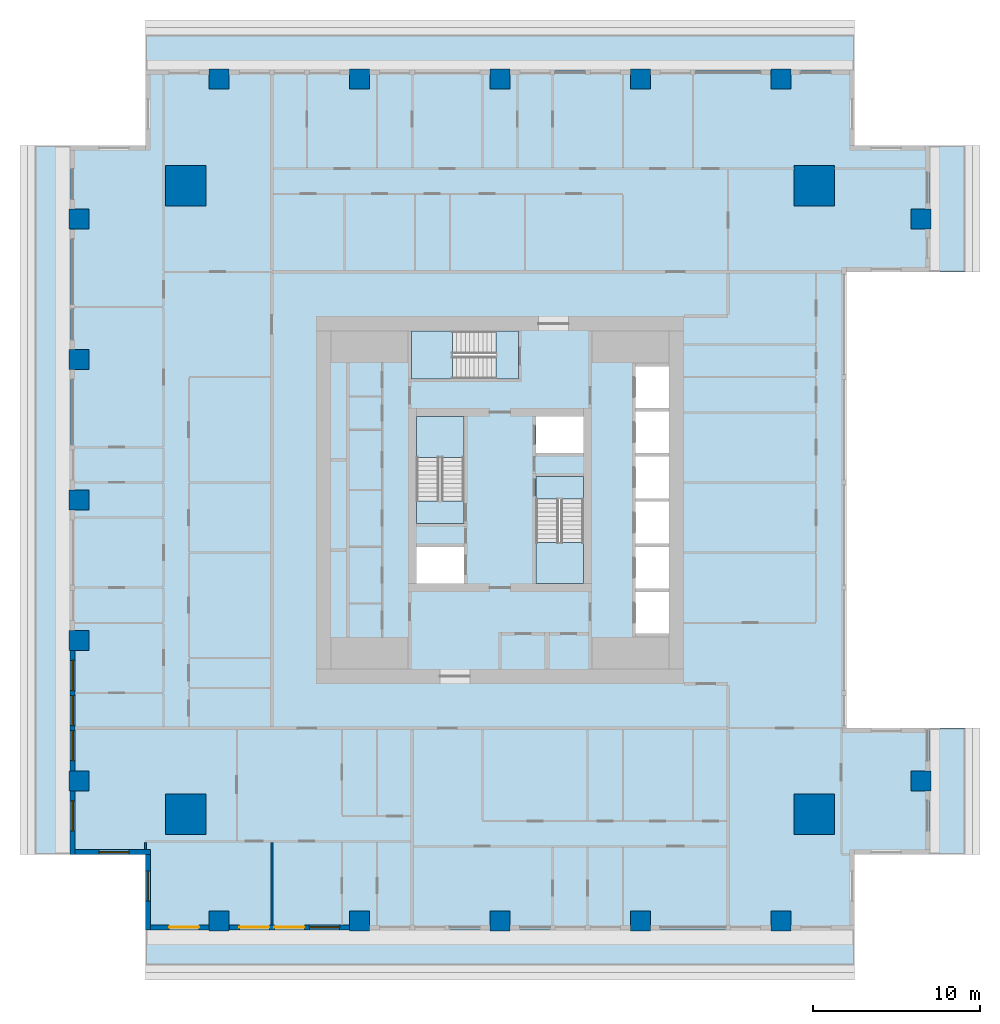
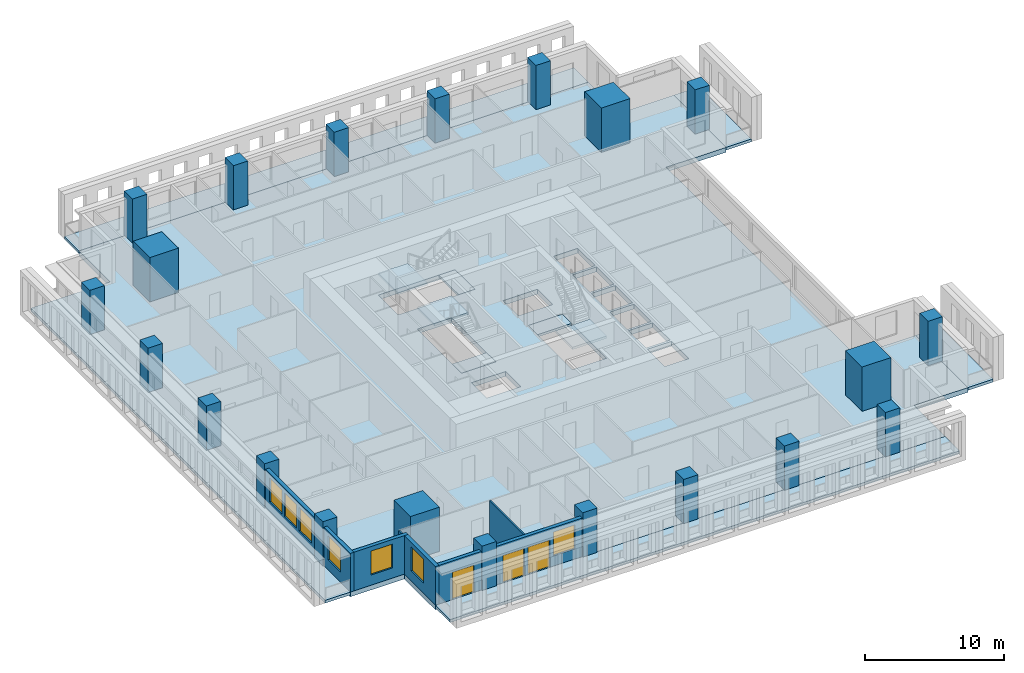
# One storey, part 1 of 15: 21 columns, 12 slabs, 8 walls, 7 windows, 3 doors, 10 openings, 3 elements without a shape of their own.
"""IFC4 building model written with IfcOpenShell, lengths in metres."""

from ifc_helpers import new_model, si_unit, direction, frame, frame_2d, origin, origin_2d, place, context, subcontext, project, spatial, polyline, rectangle, outline, extrude, material, layer, layer_set, material_profile, profile_set, type_object, element, fill, aggregate, save


model = new_model("IFC4")

# Units and contexts
model_context = context("Model", 3, precision=1e-05, world=origin(), true_north=direction((0.0, 1.0)))
body_context = subcontext(model_context, "Body", "Model", "MODEL_VIEW")
ifc_project = project(units=[si_unit("LENGTHUNIT", "METRE"), si_unit("AREAUNIT", "SQUARE_METRE"), si_unit("VOLUMEUNIT", "CUBIC_METRE"), si_unit("PLANEANGLEUNIT", "RADIAN"), si_unit("MASSUNIT", "GRAM", prefix="KILO")], contexts=[model_context])

# Site, building, storey
site_placement = place(None, origin())
site = spatial("IfcSite", under=ifc_project, at=site_placement, CompositionType="ELEMENT")
building_placement = place(site_placement, origin())
building = spatial("IfcBuilding", under=site, at=building_placement, Name="Khepri Terraces", CompositionType="ELEMENT")
storey_placement = place(building_placement, frame((0.0, 0.0, 231.300048828125)))
storey = spatial("IfcBuildingStorey", under=building, at=storey_placement, Name="L55", CompositionType="ELEMENT", Elevation=231.300048828125)

# Columns
ifc_material_1 = material(Name="Concrete C50/60", Category="concrete")
ifc_material_profile_1 = material_profile(ifc_material_1, rectangle(XDim=2.39990234375, YDim=2.39990234375, at=origin_2d()), Name="Concrete C50/60", Category="concrete")
ifc_profile_set_1 = profile_set([ifc_material_profile_1], Name="Concrete C50/60")
column_type_1 = type_object("IfcColumnType", Name="Mega column RC 2400x2400 C50/60", PredefinedType="COLUMN", material=ifc_profile_set_1)
for number, where, z_axis, x_axis, name in (
    (1, (18.800048828125, 18.800048828125, 0.0), (0.0, 0.0, 1.0), (1.0, 0.0, 0.0), "Mega column MEN L55"),
    (2, (18.800048828125, -18.800048828125, 0.0), (0.0, 0.0, 1.0), (1.0, 0.0, 0.0), "Mega column MES L55"),
    (3, (-18.800048828125, 18.800048828125, 0.0), (0.0, 0.0, 1.0), (1.0, 0.0, 0.0), "Mega column MWN L55"),
    (4, (-18.800048828125, -18.800048828125, 0.0), (0.0, 0.0, 1.0), (1.0, 0.0, 0.0), "Mega column MWS L55"),
):
    element("IfcColumn", number, at=place(storey_placement, frame(where, z_axis=z_axis, x_axis=x_axis)), inside=storey, type_object=column_type_1, Name=name, PredefinedType="COLUMN", context=body_context, shape_type="SweptSolid", body=[
        extrude(rectangle(XDim=2.39990234375, YDim=2.39990234375, at=origin_2d()), origin(), (0.0, 0.0, 1.0), 3.89990234375),
    ])
ifc_material_profile_2 = material_profile(ifc_material_1, rectangle(XDim=1.199951171875, YDim=1.199951171875, at=origin_2d()), Name="Concrete C50/60", Category="concrete")
ifc_profile_set_2 = profile_set([ifc_material_profile_2], Name="Concrete C50/60")
column_type_2 = type_object("IfcColumnType", Name="Tower column RC 1200x1200 C50/60", PredefinedType="COLUMN", material=ifc_profile_set_2)
for number, where, z_axis, x_axis, name in (
    (5, (25.199951171875, 16.800048828125, 0.0), (0.0, 0.0, 1.0), (1.0, 0.0, 0.0), "Perimeter column PE+168a L55"),
    (6, (25.199951171875, -16.800048828125, 0.0), (0.0, 0.0, 1.0), (1.0, 0.0, 0.0), "Perimeter column PE-168a L55"),
    (7, (0.0, 25.199951171875, 0.0), (0.0, 0.0, 1.0), (1.0, 0.0, 0.0), "Perimeter column PN+000b L55"),
    (8, (-8.39990234375, 25.199951171875, 0.0), (0.0, 0.0, 1.0), (1.0, 0.0, 0.0), "Perimeter column PN+084b L55"),
    (9, (-16.800048828125, 25.199951171875, 0.0), (0.0, 0.0, 1.0), (1.0, 0.0, 0.0), "Perimeter column PN+168a L55"),
    (10, (8.39990234375, 25.199951171875, 0.0), (0.0, 0.0, 1.0), (1.0, 0.0, 0.0), "Perimeter column PN-084b L55"),
    (11, (16.800048828125, 25.199951171875, 0.0), (0.0, 0.0, 1.0), (1.0, 0.0, 0.0), "Perimeter column PN-168a L55"),
    (12, (0.0, -25.199951171875, 0.0), (0.0, 0.0, 1.0), (1.0, 0.0, 0.0), "Perimeter column PS+000b L55"),
    (13, (8.39990234375, -25.199951171875, 0.0), (0.0, 0.0, 1.0), (1.0, 0.0, 0.0), "Perimeter column PS+084b L55"),
    (14, (16.800048828125, -25.199951171875, 0.0), (0.0, 0.0, 1.0), (1.0, 0.0, 0.0), "Perimeter column PS+168a L55"),
    (15, (-8.39990234375, -25.199951171875, 0.0), (0.0, 0.0, 1.0), (1.0, 0.0, 0.0), "Perimeter column PS-084b L55"),
    (16, (-16.800048828125, -25.199951171875, 0.0), (0.0, 0.0, 1.0), (1.0, 0.0, 0.0), "Perimeter column PS-168a L55"),
    (17, (-25.199951171875, 0.0, 0.0), (0.0, 0.0, 1.0), (1.0, 0.0, 0.0), "Perimeter column PW+000b L55"),
    (18, (-25.199951171875, -8.39990234375, 0.0), (0.0, 0.0, 1.0), (1.0, 0.0, 0.0), "Perimeter column PW+084b L55"),
    (19, (-25.199951171875, -16.800048828125, 0.0), (0.0, 0.0, 1.0), (1.0, 0.0, 0.0), "Perimeter column PW+168a L55"),
    (20, (-25.199951171875, 8.39990234375, 0.0), (0.0, 0.0, 1.0), (1.0, 0.0, 0.0), "Perimeter column PW-084b L55"),
    (21, (-25.199951171875, 16.800048828125, 0.0), (0.0, 0.0, 1.0), (1.0, 0.0, 0.0), "Perimeter column PW-168a L55"),
):
    element("IfcColumn", number, at=place(storey_placement, frame(where, z_axis=z_axis, x_axis=x_axis)), inside=storey, type_object=column_type_2, Name=name, PredefinedType="COLUMN", context=body_context, shape_type="SweptSolid", body=[
        extrude(rectangle(XDim=1.199951171875, YDim=1.199951171875, at=origin_2d()), origin(), (0.0, 0.0, 1.0), 3.89990234375),
    ])

# Slabs
ifc_material_2 = material(Name="Concrete C40/50", Category="concrete")
ifc_layer_1 = layer(ifc_material_2, 0.419921875, Name="Concrete C40/50", Category="concrete")
ifc_layer_set_1 = layer_set([ifc_layer_1], Name="Concrete C40/50")
slab_type_1 = type_object("IfcSlabType", Name="Flat plate 420", PredefinedType="FLOOR", material=ifc_layer_set_1)
slab_1_placement = place(storey_placement, frame((0.0, 0.0, -0.420166015625)))
element("IfcSlab", 22, at=slab_1_placement, inside=storey, type_object=slab_type_1, Name="Floor slab F01 L55", PredefinedType="FLOOR", context=body_context, shape_type="SweptSolid", body=[
    extrude(outline(polyline([(25.719970703125, 13.64990234375), (20.719970703125, 13.64990234375), (20.719970703125, -13.64990234375), (25.719970703125, -13.64990234375), (25.719970703125, -21.219970703125), (21.219970703125, -21.219970703125), (21.219970703125, -25.719970703125), (-21.219970703125, -25.719970703125), (-21.219970703125, -21.219970703125), (-25.719970703125, -21.219970703125), (-25.719970703125, 21.219970703125), (-21.219970703125, 21.219970703125), (-21.219970703125, 25.719970703125), (21.219970703125, 25.719970703125), (21.219970703125, 21.219970703125), (25.719970703125, 21.219970703125), (25.719970703125, 13.64990234375)]), holes=[polyline([(2.14990234375, 2.800048828125), (5.0, 2.800048828125), (5.0, 5.0), (2.14990234375, 5.0), (2.14990234375, 2.800048828125)]), polyline([(-5.0, -2.800048828125), (-5.0, -5.0), (-2.14990234375, -5.0), (-2.14990234375, -2.800048828125), (-5.0, -2.800048828125)]), polyline([(10.10009765625, -5.5), (8.10009765625, -5.5), (8.10009765625, -8.0), (10.10009765625, -8.0), (10.10009765625, -5.5)]), polyline([(10.10009765625, -5.300048828125), (10.10009765625, -2.800048828125), (8.10009765625, -2.800048828125), (8.10009765625, -5.300048828125), (10.10009765625, -5.300048828125)]), polyline([(8.10009765625, -2.60009765625), (10.10009765625, -2.60009765625), (10.10009765625, -0.10009765625), (8.10009765625, -0.10009765625), (8.10009765625, -2.60009765625)]), polyline([(8.10009765625, 2.60009765625), (8.10009765625, 0.10009765625), (10.10009765625, 0.10009765625), (10.10009765625, 2.60009765625), (8.10009765625, 2.60009765625)]), polyline([(10.10009765625, 5.300048828125), (8.10009765625, 5.300048828125), (8.10009765625, 2.800048828125), (10.10009765625, 2.800048828125), (10.10009765625, 5.300048828125)]), polyline([(10.10009765625, 5.5), (10.10009765625, 8.0), (8.10009765625, 8.0), (8.10009765625, 5.5), (10.10009765625, 5.5)]), polyline([(-5.0, -1.39990234375), (-2.14990234375, -1.39990234375), (-2.14990234375, 5.0), (-5.0, 5.0), (-5.0, -1.39990234375)]), polyline([(5.0, -5.0), (5.0, 1.39990234375), (2.14990234375, 1.39990234375), (2.14990234375, -5.0), (5.0, -5.0)]), polyline([(-5.300048828125, 10.10009765625), (-5.300048828125, 7.25), (1.10009765625, 7.25), (1.10009765625, 10.10009765625), (-5.300048828125, 10.10009765625)])]), origin(), (0.0, 0.0, 1.0), 0.420166015625),
])
ifc_material_3 = material(Name="Precast concrete C50/60 warm stone", Category="masonry")
ifc_layer_2 = layer(ifc_material_3, 0.25, Name="Precast concrete C50/60 warm stone", Category="masonry")
ifc_layer_set_2 = layer_set([ifc_layer_2], Name="Precast concrete C50/60 warm stone")
slab_type_2 = type_object("IfcSlabType", Name="SLB-BALCONY-250", PredefinedType="FLOOR", material=ifc_layer_set_2)
slab_2_placement = place(storey_placement, frame((0.0, 0.0, -0.25)))
element("IfcSlab", 23, at=slab_2_placement, inside=storey, type_object=slab_type_2, Name="Balcony slab L55 S", PredefinedType="FLOOR", context=body_context, shape_type="SweptSolid", body=[
    extrude(outline(polyline([(-17.39990234375, -25.719970703125), (-21.219970703125, -25.719970703125), (-21.219970703125, -27.820068359375), (21.219970703125, -27.820068359375), (21.219970703125, -25.719970703125), (17.39990234375, -25.719970703125), (17.39990234375, -25.800048828125), (16.199951171875, -25.800048828125), (16.199951171875, -25.719970703125), (9.0, -25.719970703125), (9.0, -25.800048828125), (7.800048828125, -25.800048828125), (7.800048828125, -25.719970703125), (0.60009765625, -25.719970703125), (0.60009765625, -25.800048828125), (-0.60009765625, -25.800048828125), (-0.60009765625, -25.719970703125), (-7.800048828125, -25.719970703125), (-7.800048828125, -25.800048828125), (-9.0, -25.800048828125), (-9.0, -25.719970703125), (-16.199951171875, -25.719970703125), (-16.199951171875, -25.800048828125), (-17.39990234375, -25.800048828125), (-17.39990234375, -25.719970703125)])), origin(), (0.0, 0.0, 1.0), 0.25),
])
slab_3_placement = place(storey_placement, frame((0.0, 0.0, -0.25)))
element("IfcSlab", 24, at=slab_3_placement, inside=storey, type_object=slab_type_2, Name="Balcony slab L55 E", PredefinedType="FLOOR", context=body_context, shape_type="SweptSolid", body=[
    extrude(outline(polyline([(25.719970703125, -17.39990234375), (25.719970703125, -21.219970703125), (27.820068359375, -21.219970703125), (27.820068359375, -13.64990234375), (25.719970703125, -13.64990234375), (25.719970703125, -16.199951171875), (25.800048828125, -16.199951171875), (25.800048828125, -17.39990234375), (25.719970703125, -17.39990234375)])), origin(), (0.0, 0.0, 1.0), 0.25),
])
slab_4_placement = place(storey_placement, frame((0.0, 0.0, -0.25)))
element("IfcSlab", 25, at=slab_4_placement, inside=storey, type_object=slab_type_2, Name="Balcony slab L55 E", PredefinedType="FLOOR", context=body_context, shape_type="SweptSolid", body=[
    extrude(outline(polyline([(25.719970703125, 16.199951171875), (25.719970703125, 13.64990234375), (27.820068359375, 13.64990234375), (27.820068359375, 21.219970703125), (25.719970703125, 21.219970703125), (25.719970703125, 17.39990234375), (25.800048828125, 17.39990234375), (25.800048828125, 16.199951171875), (25.719970703125, 16.199951171875)])), origin(), (0.0, 0.0, 1.0), 0.25),
])
slab_5_placement = place(storey_placement, frame((0.0, 0.0, -0.25)))
element("IfcSlab", 26, at=slab_5_placement, inside=storey, type_object=slab_type_2, Name="Balcony slab L55 N", PredefinedType="FLOOR", context=body_context, shape_type="SweptSolid", body=[
    extrude(outline(polyline([(17.39990234375, 25.719970703125), (21.219970703125, 25.719970703125), (21.219970703125, 27.820068359375), (-21.219970703125, 27.820068359375), (-21.219970703125, 25.719970703125), (-17.39990234375, 25.719970703125), (-17.39990234375, 25.800048828125), (-16.199951171875, 25.800048828125), (-16.199951171875, 25.719970703125), (-9.0, 25.719970703125), (-9.0, 25.800048828125), (-7.800048828125, 25.800048828125), (-7.800048828125, 25.719970703125), (-0.60009765625, 25.719970703125), (-0.60009765625, 25.800048828125), (0.60009765625, 25.800048828125), (0.60009765625, 25.719970703125), (7.800048828125, 25.719970703125), (7.800048828125, 25.800048828125), (9.0, 25.800048828125), (9.0, 25.719970703125), (16.199951171875, 25.719970703125), (16.199951171875, 25.800048828125), (17.39990234375, 25.800048828125), (17.39990234375, 25.719970703125)])), origin(), (0.0, 0.0, 1.0), 0.25),
])
slab_6_placement = place(storey_placement, frame((0.0, 0.0, -0.25)))
element("IfcSlab", 27, at=slab_6_placement, inside=storey, type_object=slab_type_2, Name="Balcony slab L55 W", PredefinedType="FLOOR", context=body_context, shape_type="SweptSolid", body=[
    extrude(outline(polyline([(-25.719970703125, 17.39990234375), (-25.719970703125, 21.219970703125), (-27.820068359375, 21.219970703125), (-27.820068359375, -21.219970703125), (-25.719970703125, -21.219970703125), (-25.719970703125, -17.39990234375), (-25.800048828125, -17.39990234375), (-25.800048828125, -16.199951171875), (-25.719970703125, -16.199951171875), (-25.719970703125, -9.0), (-25.800048828125, -9.0), (-25.800048828125, -7.800048828125), (-25.719970703125, -7.800048828125), (-25.719970703125, -0.60009765625), (-25.800048828125, -0.60009765625), (-25.800048828125, 0.60009765625), (-25.719970703125, 0.60009765625), (-25.719970703125, 7.800048828125), (-25.800048828125, 7.800048828125), (-25.800048828125, 9.0), (-25.719970703125, 9.0), (-25.719970703125, 16.199951171875), (-25.800048828125, 16.199951171875), (-25.800048828125, 17.39990234375), (-25.719970703125, 17.39990234375)])), origin(), (0.0, 0.0, 1.0), 0.25),
])

# Stair, slabs
stair_type = type_object("IfcStairType", Name="STAIR-RC-22R", PredefinedType="HALF_TURN_STAIR", material=ifc_material_2)
stair_1_placement = place(storey_placement, origin())
stair_1 = element("IfcStair", 28, at=stair_1_placement, inside=storey, type_object=stair_type, Name="L55 Exit Stair ST-1", PredefinedType="HALF_TURN_STAIR")
ifc_layer_3 = layer(ifc_material_2, 0.199951171875, Name="Concrete C40/50", Category="concrete")
ifc_layer_set_3 = layer_set([ifc_layer_3], Name="Concrete C40/50")
slab_type_3 = type_object("IfcSlabType", Name="SLB-CORE-LANDING", PredefinedType="LANDING", material=ifc_layer_set_3)
slab_7_placement = place(storey_placement, frame((0.0, 0.0, -0.199951171875)))
slab_7 = element("IfcSlab", 29, at=slab_7_placement, type_object=slab_type_3, Name="ST-1 landing 1", PredefinedType="LANDING", context=body_context, shape_type="SweptSolid", body=[
    extrude(outline(polyline([(-2.14990234375, -1.39990234375), (-2.14990234375, -0.050048828125), (-5.0, -0.050048828125), (-5.0, -1.39990234375), (-2.14990234375, -1.39990234375)])), origin(), (0.0, 0.0, 1.0), 0.199951171875),
])
slab_8_placement = place(storey_placement, frame((0.0, 0.0, 1.75)))
slab_8 = element("IfcSlab", 30, at=slab_8_placement, type_object=slab_type_3, Name="ST-1 landing 2", PredefinedType="LANDING", context=body_context, shape_type="SweptSolid", body=[
    extrude(outline(polyline([(-2.14990234375, 2.550048828125), (-2.14990234375, 5.0), (-5.0, 5.0), (-5.0, 2.550048828125), (-2.14990234375, 2.550048828125)])), origin(), (0.0, 0.0, 1.0), 0.199951171875),
])
aggregate(stair_1, [slab_7, slab_8])

stair_2_placement = place(storey_placement, origin())
stair_2 = element("IfcStair", 31, at=stair_2_placement, inside=storey, type_object=stair_type, Name="L55 Exit Stair ST-2", PredefinedType="HALF_TURN_STAIR")
slab_9_placement = place(storey_placement, frame((0.0, 0.0, -0.199951171875)))
slab_9 = element("IfcSlab", 32, at=slab_9_placement, type_object=slab_type_3, Name="ST-2 landing 1", PredefinedType="LANDING", context=body_context, shape_type="SweptSolid", body=[
    extrude(outline(polyline([(2.14990234375, 1.39990234375), (2.14990234375, 0.050048828125), (5.0, 0.050048828125), (5.0, 1.39990234375), (2.14990234375, 1.39990234375)])), origin(), (0.0, 0.0, 1.0), 0.199951171875),
])
slab_10_placement = place(storey_placement, frame((0.0, 0.0, 1.75)))
slab_10 = element("IfcSlab", 33, at=slab_10_placement, type_object=slab_type_3, Name="ST-2 landing 2", PredefinedType="LANDING", context=body_context, shape_type="SweptSolid", body=[
    extrude(outline(polyline([(2.14990234375, -2.550048828125), (2.14990234375, -5.0), (5.0, -5.0), (5.0, -2.550048828125), (2.14990234375, -2.550048828125)])), origin(), (0.0, 0.0, 1.0), 0.199951171875),
])
aggregate(stair_2, [slab_9, slab_10])

stair_3_placement = place(storey_placement, origin())
stair_3 = element("IfcStair", 34, at=stair_3_placement, inside=storey, type_object=stair_type, Name="L55 Exit Stair ST-3", PredefinedType="HALF_TURN_STAIR")
slab_11_placement = place(storey_placement, frame((0.0, 0.0, -0.199951171875)))
slab_11 = element("IfcSlab", 35, at=slab_11_placement, type_object=slab_type_3, Name="ST-3 landing 1", PredefinedType="LANDING", context=body_context, shape_type="SweptSolid", body=[
    extrude(outline(polyline([(1.10009765625, 10.10009765625), (-0.25, 10.10009765625), (-0.25, 7.25), (1.10009765625, 7.25), (1.10009765625, 10.10009765625)])), origin(), (0.0, 0.0, 1.0), 0.199951171875),
])
slab_12_placement = place(storey_placement, frame((0.0, 0.0, 1.75)))
slab_12 = element("IfcSlab", 36, at=slab_12_placement, type_object=slab_type_3, Name="ST-3 landing 2", PredefinedType="LANDING", context=body_context, shape_type="SweptSolid", body=[
    extrude(outline(polyline([(-2.85009765625, 10.10009765625), (-5.300048828125, 10.10009765625), (-5.300048828125, 7.25), (-2.85009765625, 7.25), (-2.85009765625, 10.10009765625)])), origin(), (0.0, 0.0, 1.0), 0.199951171875),
])
aggregate(stair_3, [slab_11, slab_12])

# Wall, openings, windows
ifc_layer_4 = layer(ifc_material_3, 0.300048828125, Name="Precast concrete C50/60 warm stone", Category="masonry")
ifc_layer_set_4 = layer_set([ifc_layer_4], Name="Precast concrete C50/60 warm stone")
wall_type_1 = type_object("IfcWallType", Name="WL-EXT-PRECAST-300", PredefinedType="STANDARD", material=ifc_layer_set_4)
wall_1_placement = place(storey_placement, frame((-25.570068359375, -9.0, 0.0), z_axis=(0.0, 0.0, 1.0), x_axis=(0.0, -1.0, 0.0)))
wall_1 = element("IfcWall", 37, at=wall_1_placement, inside=storey, type_object=wall_type_1, Name="External wall L55 W", PredefinedType="STANDARD", context=body_context, shape_type="SweptSolid", body=[
    extrude(rectangle(XDim=7.199951171875, YDim=0.300048828125, at=frame_2d((3.60009765625, 0.0))), origin(), (0.0, 0.0, 1.0), 3.39990234375),
])
opening_1_placement = place(wall_1_placement, frame((0.60009765625, 0.0, 0.89990234375)))
opening_1 = element("IfcOpeningElement", 38, at=opening_1_placement, cuts=wall_1, Name="Opening W1", PredefinedType="OPENING", context=body_context, shape_type="SweptSolid", body=[
    extrude(rectangle(XDim=1.800048828125, YDim=2.10009765625, at=frame_2d((0.89990234375, 1.050048828125))), frame((0.0, 0.16015625, 0.0), z_axis=(0.0, -1.0, 0.0), x_axis=(1.0, 0.0, 0.0)), (0.0, 0.0, 1.0), 0.320068359375),
])
opening_2_placement = place(wall_1_placement, frame((2.699951171875, 0.0, 0.89990234375)))
opening_2 = element("IfcOpeningElement", 39, at=opening_2_placement, cuts=wall_1, Name="Opening W1", PredefinedType="OPENING", context=body_context, shape_type="SweptSolid", body=[
    extrude(rectangle(XDim=1.800048828125, YDim=2.10009765625, at=frame_2d((0.89990234375, 1.050048828125))), frame((0.0, 0.16015625, 0.0), z_axis=(0.0, -1.0, 0.0), x_axis=(1.0, 0.0, 0.0)), (0.0, 0.0, 1.0), 0.320068359375),
])
opening_3_placement = place(wall_1_placement, frame((4.800048828125, 0.0, 0.89990234375)))
opening_3 = element("IfcOpeningElement", 40, at=opening_3_placement, cuts=wall_1, Name="Opening W1", PredefinedType="OPENING", context=body_context, shape_type="SweptSolid", body=[
    extrude(rectangle(XDim=1.800048828125, YDim=2.10009765625, at=frame_2d((0.89990234375, 1.050048828125))), frame((0.0, 0.16015625, 0.0), z_axis=(0.0, -1.0, 0.0), x_axis=(1.0, 0.0, 0.0)), (0.0, 0.0, 1.0), 0.320068359375),
])
ifc_material_4 = material(Name="Clear glass", Category="glass")
window_type = type_object("IfcWindowType", Name="WIN-RES-1800x2100", PartitioningType="SINGLE_PANEL", PredefinedType="WINDOW", material=ifc_material_4)
window_1_placement = place(opening_1_placement, origin())
window_1 = element("IfcWindow", 41, at=window_1_placement, inside=storey, type_object=window_type, Name="Window L55 W", OverallHeight=2.10009765625, OverallWidth=1.800048828125, PartitioningType="SINGLE_PANEL", PredefinedType="WINDOW", context=body_context, shape_type="SweptSolid", body=[
    extrude(rectangle(XDim=1.800048828125, YDim=2.10009765625, at=frame_2d((0.89990234375, 1.050048828125))), frame((0.0, 0.030029296875, 0.0), z_axis=(0.0, -1.0, 0.0), x_axis=(1.0, 0.0, 0.0)), (0.0, 0.0, 1.0), 0.06005859375),
])
fill(opening_1, window_1)
window_2_placement = place(opening_2_placement, origin())
window_2 = element("IfcWindow", 42, at=window_2_placement, inside=storey, type_object=window_type, Name="Window L55 W", OverallHeight=2.10009765625, OverallWidth=1.800048828125, PartitioningType="SINGLE_PANEL", PredefinedType="WINDOW", context=body_context, shape_type="SweptSolid", body=[
    extrude(rectangle(XDim=1.800048828125, YDim=2.10009765625, at=frame_2d((0.89990234375, 1.050048828125))), frame((0.0, 0.030029296875, 0.0), z_axis=(0.0, -1.0, 0.0), x_axis=(1.0, 0.0, 0.0)), (0.0, 0.0, 1.0), 0.06005859375),
])
fill(opening_2, window_2)
window_3_placement = place(opening_3_placement, origin())
window_3 = element("IfcWindow", 43, at=window_3_placement, inside=storey, type_object=window_type, Name="Window L55 W", OverallHeight=2.10009765625, OverallWidth=1.800048828125, PartitioningType="SINGLE_PANEL", PredefinedType="WINDOW", context=body_context, shape_type="SweptSolid", body=[
    extrude(rectangle(XDim=1.800048828125, YDim=2.10009765625, at=frame_2d((0.89990234375, 1.050048828125))), frame((0.0, 0.030029296875, 0.0), z_axis=(0.0, -1.0, 0.0), x_axis=(1.0, 0.0, 0.0)), (0.0, 0.0, 1.0), 0.06005859375),
])
fill(opening_3, window_3)

# Wall, opening, window
wall_2_placement = place(storey_placement, frame((-25.570068359375, -17.39990234375, 0.0), z_axis=(0.0, 0.0, 1.0), x_axis=(0.0, -1.0, 0.0)))
wall_2 = element("IfcWall", 44, at=wall_2_placement, inside=storey, type_object=wall_type_1, Name="External wall L55 W", PredefinedType="STANDARD", context=body_context, shape_type="SweptSolid", body=[
    extrude(rectangle(XDim=3.820068359375, YDim=0.300048828125, at=frame_2d((1.91015625, 0.0))), origin(), (0.0, 0.0, 1.0), 3.39990234375),
])
opening_4_placement = place(wall_2_placement, frame((0.60009765625, 0.0, 0.89990234375)))
opening_4 = element("IfcOpeningElement", 45, at=opening_4_placement, cuts=wall_2, Name="Opening W1", PredefinedType="OPENING", context=body_context, shape_type="SweptSolid", body=[
    extrude(rectangle(XDim=1.800048828125, YDim=2.10009765625, at=frame_2d((0.89990234375, 1.050048828125))), frame((0.0, 0.16015625, 0.0), z_axis=(0.0, -1.0, 0.0), x_axis=(1.0, 0.0, 0.0)), (0.0, 0.0, 1.0), 0.320068359375),
])
window_4_placement = place(opening_4_placement, origin())
window_4 = element("IfcWindow", 46, at=window_4_placement, inside=storey, type_object=window_type, Name="Window L55 W", OverallHeight=2.10009765625, OverallWidth=1.800048828125, PartitioningType="SINGLE_PANEL", PredefinedType="WINDOW", context=body_context, shape_type="SweptSolid", body=[
    extrude(rectangle(XDim=1.800048828125, YDim=2.10009765625, at=frame_2d((0.89990234375, 1.050048828125))), frame((0.0, 0.030029296875, 0.0), z_axis=(0.0, -1.0, 0.0), x_axis=(1.0, 0.0, 0.0)), (0.0, 0.0, 1.0), 0.06005859375),
])
fill(opening_4, window_4)

wall_3_placement = place(storey_placement, frame((-25.419921875, -21.070068359375, 0.0), z_axis=(0.0, 0.0, 1.0), x_axis=(1.0, 0.0, 0.0)))
wall_3 = element("IfcWall", 47, at=wall_3_placement, inside=storey, type_object=wall_type_1, Name="External wall L55 S", PredefinedType="STANDARD", context=body_context, shape_type="SweptSolid", body=[
    extrude(rectangle(XDim=4.5, YDim=0.300048828125, at=frame_2d((2.25, 0.0))), origin(), (0.0, 0.0, 1.0), 3.39990234375),
])
opening_5_placement = place(wall_3_placement, frame((1.419921875, 0.0, 0.89990234375)))
opening_5 = element("IfcOpeningElement", 48, at=opening_5_placement, cuts=wall_3, Name="Opening W1", PredefinedType="OPENING", context=body_context, shape_type="SweptSolid", body=[
    extrude(rectangle(XDim=1.800048828125, YDim=2.10009765625, at=frame_2d((0.89990234375, 1.050048828125))), frame((0.0, 0.16015625, 0.0), z_axis=(0.0, -1.0, 0.0), x_axis=(1.0, 0.0, 0.0)), (0.0, 0.0, 1.0), 0.320068359375),
])
window_5_placement = place(opening_5_placement, origin())
window_5 = element("IfcWindow", 49, at=window_5_placement, inside=storey, type_object=window_type, Name="Window L55 S", OverallHeight=2.10009765625, OverallWidth=1.800048828125, PartitioningType="SINGLE_PANEL", PredefinedType="WINDOW", context=body_context, shape_type="SweptSolid", body=[
    extrude(rectangle(XDim=1.800048828125, YDim=2.10009765625, at=frame_2d((0.89990234375, 1.050048828125))), frame((0.0, 0.030029296875, 0.0), z_axis=(0.0, -1.0, 0.0), x_axis=(1.0, 0.0, 0.0)), (0.0, 0.0, 1.0), 0.06005859375),
])
fill(opening_5, window_5)

wall_4_placement = place(storey_placement, frame((-21.070068359375, -21.219970703125, 0.0), z_axis=(0.0, 0.0, 1.0), x_axis=(0.0, -1.0, 0.0)))
wall_4 = element("IfcWall", 50, at=wall_4_placement, inside=storey, type_object=wall_type_1, Name="External wall L55 W", PredefinedType="STANDARD", context=body_context, shape_type="SweptSolid", body=[
    extrude(rectangle(XDim=4.5, YDim=0.300048828125, at=frame_2d((2.25, 0.0))), origin(), (0.0, 0.0, 1.0), 3.39990234375),
])
opening_6_placement = place(wall_4_placement, frame((0.97998046875, 0.0, 0.89990234375)))
opening_6 = element("IfcOpeningElement", 51, at=opening_6_placement, cuts=wall_4, Name="Opening W1", PredefinedType="OPENING", context=body_context, shape_type="SweptSolid", body=[
    extrude(rectangle(XDim=1.800048828125, YDim=2.10009765625, at=frame_2d((0.89990234375, 1.050048828125))), frame((0.0, 0.16015625, 0.0), z_axis=(0.0, -1.0, 0.0), x_axis=(1.0, 0.0, 0.0)), (0.0, 0.0, 1.0), 0.320068359375),
])
window_6_placement = place(opening_6_placement, origin())
window_6 = element("IfcWindow", 52, at=window_6_placement, inside=storey, type_object=window_type, Name="Window L55 W", OverallHeight=2.10009765625, OverallWidth=1.800048828125, PartitioningType="SINGLE_PANEL", PredefinedType="WINDOW", context=body_context, shape_type="SweptSolid", body=[
    extrude(rectangle(XDim=1.800048828125, YDim=2.10009765625, at=frame_2d((0.89990234375, 1.050048828125))), frame((0.0, 0.030029296875, 0.0), z_axis=(0.0, -1.0, 0.0), x_axis=(1.0, 0.0, 0.0)), (0.0, 0.0, 1.0), 0.06005859375),
])
fill(opening_6, window_6)

# Wall, opening, door
wall_5_placement = place(storey_placement, frame((-20.919921875, -25.570068359375, 0.0), z_axis=(0.0, 0.0, 1.0), x_axis=(1.0, 0.0, 0.0)))
wall_5 = element("IfcWall", 53, at=wall_5_placement, inside=storey, type_object=wall_type_1, Name="External wall L55 S", PredefinedType="STANDARD", context=body_context, shape_type="SweptSolid", body=[
    extrude(rectangle(XDim=3.52001953125, YDim=0.300048828125, at=frame_2d((1.760009765625, 0.0))), origin(), (0.0, 0.0, 1.0), 3.39990234375),
])
opening_7_placement = place(wall_5_placement, frame((1.1201171875, 0.0, 0.0)))
opening_7 = element("IfcOpeningElement", 54, at=opening_7_placement, cuts=wall_5, Name="Opening ED-L55-11", PredefinedType="OPENING", context=body_context, shape_type="SweptSolid", body=[
    extrude(rectangle(XDim=1.800048828125, YDim=2.39990234375, at=frame_2d((0.89990234375, 1.199951171875))), frame((0.0, 0.16015625, 0.0), z_axis=(0.0, -1.0, 0.0), x_axis=(1.0, 0.0, 0.0)), (0.0, 0.0, 1.0), 0.320068359375),
])
ifc_material_5 = material(Name="Anodised aluminium bronze glazed door", Category="aluminium")
door_type = type_object("IfcDoorType", Name="DR-BAL-SLIDE-1800x2400", OperationType="NOTDEFINED", PredefinedType="DOOR", material=ifc_material_5)
door_1_placement = place(opening_7_placement, origin())
door_1 = element("IfcDoor", 55, at=door_1_placement, inside=storey, type_object=door_type, Name="Balcony door L55 S", OperationType="SLIDING_TO_RIGHT", OverallHeight=2.39990234375, OverallWidth=1.800048828125, PredefinedType="DOOR", context=body_context, shape_type="SweptSolid", body=[
    extrude(rectangle(XDim=1.800048828125, YDim=2.39990234375, at=frame_2d((0.89990234375, 1.199951171875))), frame((0.0, 0.02490234375, 0.0), z_axis=(0.0, -1.0, 0.0), x_axis=(1.0, 0.0, 0.0)), (0.0, 0.0, 1.0), 0.050048828125),
])
fill(opening_7, door_1)

# Wall, openings, doors, window
wall_6_placement = place(storey_placement, frame((-16.199951171875, -25.570068359375, 0.0), z_axis=(0.0, 0.0, 1.0), x_axis=(1.0, 0.0, 0.0)))
wall_6 = element("IfcWall", 56, at=wall_6_placement, inside=storey, type_object=wall_type_1, Name="External wall L55 S", PredefinedType="STANDARD", context=body_context, shape_type="SweptSolid", body=[
    extrude(rectangle(XDim=7.199951171875, YDim=0.300048828125, at=frame_2d((3.60009765625, 0.0))), origin(), (0.0, 0.0, 1.0), 3.39990234375),
])
opening_8_placement = place(wall_6_placement, frame((0.60009765625, 0.0, 0.0)))
opening_8 = element("IfcOpeningElement", 57, at=opening_8_placement, cuts=wall_6, Name="Opening ED-L55-12", PredefinedType="OPENING", context=body_context, shape_type="SweptSolid", body=[
    extrude(rectangle(XDim=1.800048828125, YDim=2.39990234375, at=frame_2d((0.89990234375, 1.199951171875))), frame((0.0, 0.16015625, 0.0), z_axis=(0.0, -1.0, 0.0), x_axis=(1.0, 0.0, 0.0)), (0.0, 0.0, 1.0), 0.320068359375),
])
opening_9_placement = place(wall_6_placement, frame((2.699951171875, 0.0, 0.0)))
opening_9 = element("IfcOpeningElement", 58, at=opening_9_placement, cuts=wall_6, Name="Opening ED-L55-13", PredefinedType="OPENING", context=body_context, shape_type="SweptSolid", body=[
    extrude(rectangle(XDim=1.800048828125, YDim=2.39990234375, at=frame_2d((0.89990234375, 1.199951171875))), frame((0.0, 0.16015625, 0.0), z_axis=(0.0, -1.0, 0.0), x_axis=(1.0, 0.0, 0.0)), (0.0, 0.0, 1.0), 0.320068359375),
])
opening_10_placement = place(wall_6_placement, frame((4.800048828125, 0.0, 0.89990234375)))
opening_10 = element("IfcOpeningElement", 59, at=opening_10_placement, cuts=wall_6, Name="Opening W1", PredefinedType="OPENING", context=body_context, shape_type="SweptSolid", body=[
    extrude(rectangle(XDim=1.800048828125, YDim=2.10009765625, at=frame_2d((0.89990234375, 1.050048828125))), frame((0.0, 0.16015625, 0.0), z_axis=(0.0, -1.0, 0.0), x_axis=(1.0, 0.0, 0.0)), (0.0, 0.0, 1.0), 0.320068359375),
])
door_2_placement = place(opening_8_placement, origin())
door_2 = element("IfcDoor", 60, at=door_2_placement, inside=storey, type_object=door_type, Name="Balcony door L55 S", OperationType="SLIDING_TO_LEFT", OverallHeight=2.39990234375, OverallWidth=1.800048828125, PredefinedType="DOOR", context=body_context, shape_type="SweptSolid", body=[
    extrude(rectangle(XDim=1.800048828125, YDim=2.39990234375, at=frame_2d((0.89990234375, 1.199951171875))), frame((0.0, 0.02490234375, 0.0), z_axis=(0.0, -1.0, 0.0), x_axis=(1.0, 0.0, 0.0)), (0.0, 0.0, 1.0), 0.050048828125),
])
fill(opening_8, door_2)
door_3_placement = place(opening_9_placement, origin())
door_3 = element("IfcDoor", 61, at=door_3_placement, inside=storey, type_object=door_type, Name="Balcony door L55 S", OperationType="SLIDING_TO_RIGHT", OverallHeight=2.39990234375, OverallWidth=1.800048828125, PredefinedType="DOOR", context=body_context, shape_type="SweptSolid", body=[
    extrude(rectangle(XDim=1.800048828125, YDim=2.39990234375, at=frame_2d((0.89990234375, 1.199951171875))), frame((0.0, 0.02490234375, 0.0), z_axis=(0.0, -1.0, 0.0), x_axis=(1.0, 0.0, 0.0)), (0.0, 0.0, 1.0), 0.050048828125),
])
fill(opening_9, door_3)
window_7_placement = place(opening_10_placement, origin())
window_7 = element("IfcWindow", 62, at=window_7_placement, inside=storey, type_object=window_type, Name="Window L55 S", OverallHeight=2.10009765625, OverallWidth=1.800048828125, PartitioningType="SINGLE_PANEL", PredefinedType="WINDOW", context=body_context, shape_type="SweptSolid", body=[
    extrude(rectangle(XDim=1.800048828125, YDim=2.10009765625, at=frame_2d((0.89990234375, 1.050048828125))), frame((0.0, 0.030029296875, 0.0), z_axis=(0.0, -1.0, 0.0), x_axis=(1.0, 0.0, 0.0)), (0.0, 0.0, 1.0), 0.06005859375),
])
fill(opening_10, window_7)

# Walls
ifc_material_6 = material(Name="Gypsum plasterboard partition")
ifc_layer_5 = layer(ifc_material_6, 0.1201171875, Name="Gypsum plasterboard partition")
ifc_layer_set_5 = layer_set([ifc_layer_5], Name="Gypsum plasterboard partition")
wall_type_2 = type_object("IfcWallType", Name="WL-PART-120", PredefinedType="PARTITIONING", material=ifc_layer_set_5)
wall_7_placement = place(storey_placement, frame((-13.64990234375, -25.419921875, 0.0), z_axis=(0.0, 0.0, 1.0), x_axis=(0.0, 1.0, 0.0)))
element("IfcWall", 63, at=wall_7_placement, inside=storey, type_object=wall_type_2, Name="Partition P-001 L55", PredefinedType="PARTITIONING", context=body_context, shape_type="SweptSolid", body=[
    extrude(rectangle(XDim=4.93994140625, YDim=0.1201171875, at=frame_2d((2.469970703125, 0.0))), origin(), (0.0, 0.0, 1.0), 3.39990234375),
])
wall_8_placement = place(storey_placement, frame((-21.218994140625, -20.9208984375, 0.0), z_axis=(0.0, 0.0, 1.0), x_axis=(0.0, 1.0, 0.0)))
element("IfcWall", 64, at=wall_8_placement, inside=storey, type_object=wall_type_2, Name="Partition P-009 L55", PredefinedType="PARTITIONING", context=body_context, shape_type="SweptSolid", body=[
    extrude(rectangle(XDim=0.44091796875, YDim=0.1201171875, at=frame_2d((0.220458984375, 0.0))), origin(), (0.0, 0.0, 1.0), 3.39990234375),
])

save(model, "model.ifc")
